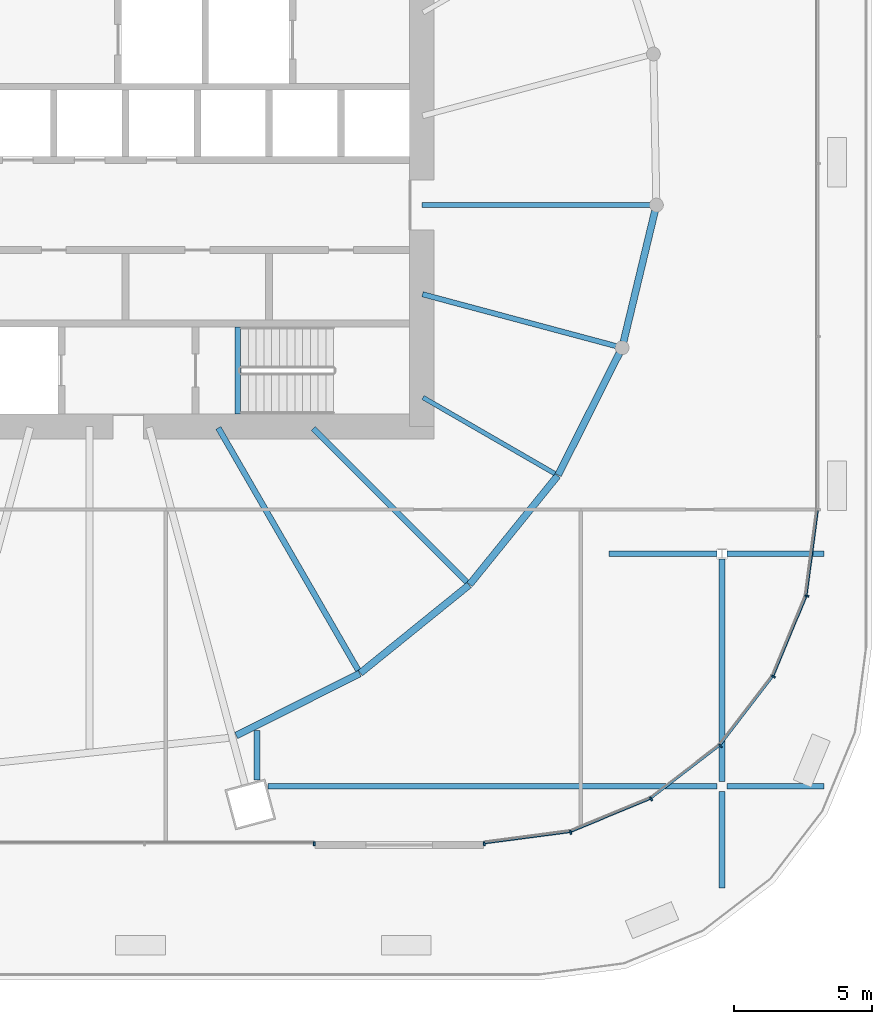
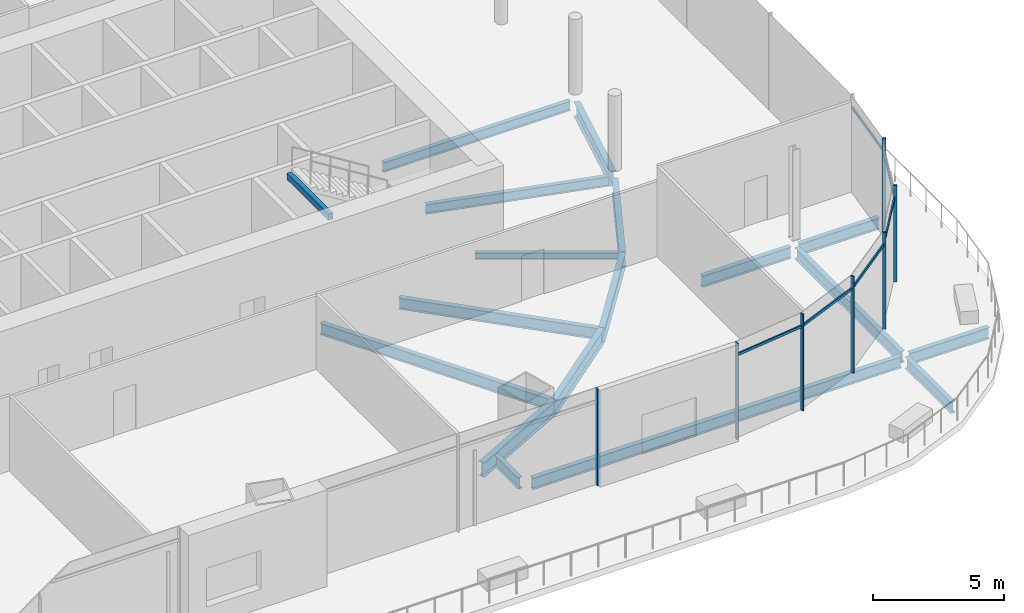
# One storey, part 23 of 49: 18 beams, 13 members, 1 element without a shape of its own.
"""IFC4 building model written with IfcOpenShell, lengths in metres."""

from ifc_helpers import new_model, si_unit, direction, frame, origin, origin_2d, place, context, subcontext, project, spatial, rectangle, hollow_rectangle, i_section, extrude, material, material_profile, profile_set, type_object, element, aggregate, save


model = new_model("IFC4")

# Units and contexts
model_context = context("Model", 3, precision=1e-05, world=origin(), true_north=direction((0.0, 1.0)))
body_context = subcontext(model_context, "Body", "Model", "MODEL_VIEW")
ifc_project = project(units=[si_unit("LENGTHUNIT", "METRE"), si_unit("AREAUNIT", "SQUARE_METRE"), si_unit("VOLUMEUNIT", "CUBIC_METRE"), si_unit("PLANEANGLEUNIT", "RADIAN"), si_unit("MASSUNIT", "GRAM", prefix="KILO")], contexts=[model_context])

# Site, building, storey
site_placement = place(None, origin())
site = spatial("IfcSite", under=ifc_project, at=site_placement, CompositionType="ELEMENT")
building_placement = place(site_placement, origin())
building = spatial("IfcBuilding", under=site, at=building_placement, Name="Rimbun Link Towers", CompositionType="ELEMENT")
storey_placement = place(building_placement, frame((0.0, 0.0, 25.5)))
storey = spatial("IfcBuildingStorey", under=building, at=storey_placement, Name="L05", CompositionType="ELEMENT", Elevation=25.5)

# Curtain wall, members
ifc_material_1 = material(Name="Aluminium 6063-T6 and low-iron glass", Category="aluminium")
curtain_wall_type = type_object("IfcCurtainWallType", Name="CW3 podium shopfront", PredefinedType="NOTDEFINED", material=ifc_material_1)
curtain_wall_placement = place(storey_placement, origin())
curtain_wall = element("IfcCurtainWall", 1, at=curtain_wall_placement, inside=storey, type_object=curtain_wall_type, Name="CW3 L05 PD", PredefinedType="NOTDEFINED")
ifc_material_2 = material(Name="Aluminium 6063-T6", Category="aluminium")
ifc_material_profile_1 = material_profile(ifc_material_2, rectangle(XDim=0.14990234375, YDim=0.06005859375, at=origin_2d()), Name="MULLION 60X150")
ifc_profile_set_1 = profile_set([ifc_material_profile_1], Name="Aluminium 6063-T6")
member_type_1 = type_object("IfcMemberType", Name="CW3 mullion 60X150", PredefinedType="MULLION", material=ifc_profile_set_1)
member_1_placement = place(storey_placement, frame((49.125244140625, -22.66357421875, 0.0), z_axis=(0.0, 0.0, 1.0), x_axis=(0.258818729038, -0.965925910978, 0.0)))
member_1 = element("IfcMember", 2, at=member_1_placement, type_object=member_type_1, Name="CW3 mullion", PredefinedType="MULLION", context=body_context, shape_type="SweptSolid", body=[
    extrude(rectangle(XDim=0.14990234375, YDim=0.06005859375, at=origin_2d()), origin(), (0.0, 0.0, 1.0), 4.5),
])
member_2_placement = place(storey_placement, frame((46.0048828125, -23.074951171875, 0.0), z_axis=(0.0, 0.0, 1.0), x_axis=(0.065405288299, -0.997858781723, 0.0)))
member_2 = element("IfcMember", 3, at=member_2_placement, type_object=member_type_1, Name="CW3 mullion", PredefinedType="MULLION", context=body_context, shape_type="SweptSolid", body=[
    extrude(rectangle(XDim=0.14990234375, YDim=0.06005859375, at=origin_2d()), origin(), (0.0, 0.0, 1.0), 4.5),
])
member_3_placement = place(storey_placement, frame((52.03759765625, -21.457275390625, 0.0), z_axis=(0.0, 0.0, 1.0), x_axis=(0.499993701568, -0.866029040155, 0.0)))
member_3 = element("IfcMember", 4, at=member_3_placement, type_object=member_type_1, Name="CW3 mullion", PredefinedType="MULLION", context=body_context, shape_type="SweptSolid", body=[
    extrude(rectangle(XDim=0.14990234375, YDim=0.06005859375, at=origin_2d()), origin(), (0.0, 0.0, 1.0), 4.5),
])
member_4_placement = place(storey_placement, frame((54.538330078125, -19.538330078125, 0.0), z_axis=(0.0, 0.0, 1.0), x_axis=(0.707106781187, -0.707106781187, 0.0)))
member_4 = element("IfcMember", 5, at=member_4_placement, type_object=member_type_1, Name="CW3 mullion", PredefinedType="MULLION", context=body_context, shape_type="SweptSolid", body=[
    extrude(rectangle(XDim=0.14990234375, YDim=0.06005859375, at=origin_2d()), origin(), (0.0, 0.0, 1.0), 4.5),
])
member_5_placement = place(storey_placement, frame((56.457275390625, -17.03759765625, 0.0), z_axis=(0.0, 0.0, 1.0), x_axis=(0.866029040155, -0.499993701568, 0.0)))
member_5 = element("IfcMember", 6, at=member_5_placement, type_object=member_type_1, Name="CW3 mullion", PredefinedType="MULLION", context=body_context, shape_type="SweptSolid", body=[
    extrude(rectangle(XDim=0.14990234375, YDim=0.06005859375, at=origin_2d()), origin(), (0.0, 0.0, 1.0), 4.5),
])
member_6_placement = place(storey_placement, frame((57.66357421875, -14.125244140625, 0.0), z_axis=(0.0, 0.0, 1.0), x_axis=(0.965925910978, -0.258818729038, 0.0)))
member_6 = element("IfcMember", 7, at=member_6_placement, type_object=member_type_1, Name="CW3 mullion", PredefinedType="MULLION", context=body_context, shape_type="SweptSolid", body=[
    extrude(rectangle(XDim=0.14990234375, YDim=0.06005859375, at=origin_2d()), origin(), (0.0, 0.0, 1.0), 4.5),
])
member_7_placement = place(storey_placement, frame((39.86669921875, -23.074951171875, 0.0), z_axis=(0.0, 0.0, 1.0), x_axis=(0.0, -1.0, 0.0)))
member_7 = element("IfcMember", 8, at=member_7_placement, type_object=member_type_1, Name="CW3 mullion", PredefinedType="MULLION", context=body_context, shape_type="SweptSolid", body=[
    extrude(rectangle(XDim=0.14990234375, YDim=0.06005859375, at=origin_2d()), origin(), (0.0, 0.0, 1.0), 4.5),
])
ifc_material_3 = material(Name="Aluminium 6063-T6", Category="aluminium")
ifc_material_profile_2 = material_profile(ifc_material_3, rectangle(XDim=0.06005859375, YDim=0.1201171875, at=origin_2d()), Name="TRANSOM 60X120")
ifc_profile_set_2 = profile_set([ifc_material_profile_2], Name="Aluminium 6063-T6")
member_type_2 = type_object("IfcMemberType", Name="CW3 transom 60X120", PredefinedType="USERDEFINED", material=ifc_profile_set_2)
member_8_placement = place(storey_placement, frame((49.0830078125, -22.6484375, 3.89990234375), z_axis=(-0.991441037829, -0.130555231638, 0.0), x_axis=(0.130555231638, -0.991441037829, 0.0)))
member_8 = element("IfcMember", 9, at=member_8_placement, type_object=member_type_2, Name="CW3 transom", ObjectType="TRANSOM", PredefinedType="USERDEFINED", context=body_context, shape_type="SweptSolid", body=[
    extrude(rectangle(XDim=0.06005859375, YDim=0.1201171875, at=origin_2d()), origin(), (0.0, 0.0, 1.0), 3.072509765625),
])
member_9_placement = place(storey_placement, frame((51.992919921875, -21.45361328125, 3.89990234375), z_axis=(-0.923881248716, -0.382679289053, 0.0), x_axis=(0.382679289053, -0.923881248716, 0.0)))
member_9 = element("IfcMember", 10, at=member_9_placement, type_object=member_type_2, Name="CW3 transom", ObjectType="TRANSOM", PredefinedType="USERDEFINED", context=body_context, shape_type="SweptSolid", body=[
    extrude(rectangle(XDim=0.06005859375, YDim=0.1201171875, at=origin_2d()), origin(), (0.0, 0.0, 1.0), 3.072509765625),
])
member_10_placement = place(storey_placement, frame((54.494384765625, -19.54638671875, 3.89990234375), z_axis=(-0.793344129687, -0.608773432314, 0.0), x_axis=(0.608773432314, -0.793344129687, 0.0)))
member_10 = element("IfcMember", 11, at=member_10_placement, type_object=member_type_2, Name="CW3 transom", ObjectType="TRANSOM", PredefinedType="USERDEFINED", context=body_context, shape_type="SweptSolid", body=[
    extrude(rectangle(XDim=0.06005859375, YDim=0.1201171875, at=origin_2d()), origin(), (0.0, 0.0, 1.0), 3.07275390625),
])
member_11_placement = place(storey_placement, frame((56.4169921875, -17.056640625, 3.89990234375), z_axis=(-0.608773432314, -0.793344129687, 0.0), x_axis=(0.793344129687, -0.608773432314, 0.0)))
member_11 = element("IfcMember", 12, at=member_11_placement, type_object=member_type_2, Name="CW3 transom", ObjectType="TRANSOM", PredefinedType="USERDEFINED", context=body_context, shape_type="SweptSolid", body=[
    extrude(rectangle(XDim=0.06005859375, YDim=0.1201171875, at=origin_2d()), origin(), (0.0, 0.0, 1.0), 3.07275390625),
])
member_12_placement = place(storey_placement, frame((57.62939453125, -14.154296875, 3.89990234375), z_axis=(-0.382679289053, -0.923881248716, 0.0), x_axis=(0.923881248716, -0.382679289053, 0.0)))
member_12 = element("IfcMember", 13, at=member_12_placement, type_object=member_type_2, Name="CW3 transom", ObjectType="TRANSOM", PredefinedType="USERDEFINED", context=body_context, shape_type="SweptSolid", body=[
    extrude(rectangle(XDim=0.06005859375, YDim=0.1201171875, at=origin_2d()), origin(), (0.0, 0.0, 1.0), 3.072509765625),
])
member_13_placement = place(storey_placement, frame((58.049560546875, -11.036865234375, 3.89990234375), z_axis=(-0.130555231638, -0.991441037829, 0.0), x_axis=(0.991441037829, -0.130555231638, 0.0)))
member_13 = element("IfcMember", 14, at=member_13_placement, type_object=member_type_2, Name="CW3 transom", ObjectType="TRANSOM", PredefinedType="USERDEFINED", context=body_context, shape_type="SweptSolid", body=[
    extrude(rectangle(XDim=0.06005859375, YDim=0.1201171875, at=origin_2d()), origin(), (0.0, 0.0, 1.0), 3.072509765625),
])
aggregate(curtain_wall, [member_1, member_2, member_3, member_4, member_5, member_6, member_7, member_8, member_9, member_10, member_11, member_12, member_13])

# Beams
ifc_material_4 = material(Name="Steel S355J2", Category="steel")
ifc_material_profile_3 = material_profile(ifc_material_4, hollow_rectangle(XDim=0.199951171875, YDim=0.300048828125, WallThickness=0.011962890625, at=origin_2d()), Name="BOX 300x200x12")
ifc_profile_set_3 = profile_set([ifc_material_profile_3], Name="Steel S355J2")
beam_type_1 = type_object("IfcBeamType", Name="Stair trimmer beam BOX 300x200x12", PredefinedType="BEAM", material=ifc_profile_set_3)
beam_1_placement = place(storey_placement, frame((37.10009765625, -7.550048828125, 4.050048828125), z_axis=(0.0, 1.0, 0.0), x_axis=(-1.0, 0.0, 0.0)))
element("IfcBeam", 15, at=beam_1_placement, inside=storey, type_object=beam_type_1, Name="L05 ST4 stair beam 1", PredefinedType="BEAM", context=body_context, shape_type="SweptSolid", body=[
    extrude(hollow_rectangle(XDim=0.199951171875, YDim=0.300048828125, WallThickness=0.011962890625, at=origin_2d()), origin(), (0.0, 0.0, 1.0), 3.150146484375),
])
ifc_material_5 = material(Name="Steel S355J2", Category="steel")
ifc_material_profile_4 = material_profile(ifc_material_5, i_section(OverallWidth=0.1650390625, OverallDepth=0.303466796875, WebThickness=0.006103515625, FlangeThickness=0.01025390625, at=origin_2d()), Name="UB 305x165x40")
ifc_profile_set_4 = profile_set([ifc_material_profile_4], Name="Steel S355J2")
beam_type_2 = type_object("IfcBeamType", Name="UB 305x165x40", PredefinedType="BEAM", material=ifc_profile_set_4)
beam_2_placement = place(storey_placement, frame((43.7919921875, -6.952392578125, -0.45166015625), z_axis=(0.86600383438, -0.500037357444, 0.0), x_axis=(0.500037357444, 0.86600383438, 0.0)))
element("IfcBeam", 16, at=beam_2_placement, inside=storey, type_object=beam_type_2, Name="Radial beam T2 L05 19", PredefinedType="BEAM", context=body_context, shape_type="SweptSolid", body=[
    extrude(i_section(OverallWidth=0.1650390625, OverallDepth=0.303466796875, WebThickness=0.006103515625, FlangeThickness=0.01025390625, at=origin_2d()), origin(), (0.0, 0.0, 1.0), 5.5029296875),
])
ifc_material_6 = material(Name="Steel S355J2", Category="steel")
ifc_material_profile_5 = material_profile(ifc_material_6, i_section(OverallWidth=0.18994140625, OverallDepth=0.453369140625, WebThickness=0.008544921875, FlangeThickness=0.0126953125, at=origin_2d()), Name="UB 457x191x67")
ifc_profile_set_5 = profile_set([ifc_material_profile_5], Name="Steel S355J2")
beam_type_3 = type_object("IfcBeamType", Name="UB 457x191x67", PredefinedType="BEAM", material=ifc_profile_set_5)
beam_3_placement = place(storey_placement, frame((43.775390625, -3.22216796875, -0.526611328125), z_axis=(0.965928471546, -0.258809172667, 0.0), x_axis=(0.258809172667, 0.965928471546, 0.0)))
element("IfcBeam", 17, at=beam_3_placement, inside=storey, type_object=beam_type_3, Name="Radial beam T2 L05 20", PredefinedType="BEAM", context=body_context, shape_type="SweptSolid", body=[
    extrude(i_section(OverallWidth=0.18994140625, OverallDepth=0.453369140625, WebThickness=0.008544921875, FlangeThickness=0.0126953125, at=origin_2d()), origin(), (0.0, 0.0, 1.0), 7.2353515625),
])
beam_4_placement = place(storey_placement, frame((43.7509765625, 0.0, -0.526611328125), z_axis=(1.0, 0.0, 0.0), x_axis=(0.0, 1.0, 0.0)))
element("IfcBeam", 18, at=beam_4_placement, inside=storey, type_object=beam_type_3, Name="Radial beam T2 L05 21", PredefinedType="BEAM", context=body_context, shape_type="SweptSolid", body=[
    extrude(i_section(OverallWidth=0.18994140625, OverallDepth=0.453369140625, WebThickness=0.008544921875, FlangeThickness=0.0126953125, at=origin_2d()), origin(), (0.0, 0.0, 1.0), 8.243408203125),
])
ifc_material_7 = material(Name="Steel S355J2", Category="steel")
ifc_material_profile_6 = material_profile(ifc_material_7, i_section(OverallWidth=0.209228515625, OverallDepth=0.533203125, WebThickness=0.010009765625, FlangeThickness=0.015625, at=origin_2d()), Name="UB 533x210x92")
ifc_profile_set_6 = profile_set([ifc_material_profile_6], Name="Steel S355J2")
beam_type_4 = type_object("IfcBeamType", Name="UB 533x210x92", PredefinedType="BEAM", material=ifc_profile_set_6)
beam_5_placement = place(storey_placement, frame((36.3994140625, -8.05322265625, -0.56640625), z_axis=(0.500024888386, -0.866011033991, 0.0), x_axis=(0.866011033991, 0.500024888386, 0.0)))
element("IfcBeam", 19, at=beam_5_placement, inside=storey, type_object=beam_type_4, Name="Radial beam T2 L05 17", PredefinedType="BEAM", context=body_context, shape_type="SweptSolid", body=[
    extrude(i_section(OverallWidth=0.209228515625, OverallDepth=0.533203125, WebThickness=0.010009765625, FlangeThickness=0.015625, at=origin_2d()), origin(), (0.0, 0.0, 1.0), 10.10888671875),
])
beam_6_placement = place(storey_placement, frame((39.82470703125, -8.07470703125, -0.56640625), z_axis=(0.707106781187, -0.707106781187, 0.0), x_axis=(0.707106781187, 0.707106781187, 0.0)))
element("IfcBeam", 20, at=beam_6_placement, inside=storey, type_object=beam_type_4, Name="Radial beam T2 L05 18", PredefinedType="BEAM", context=body_context, shape_type="SweptSolid", body=[
    extrude(i_section(OverallWidth=0.209228515625, OverallDepth=0.533203125, WebThickness=0.010009765625, FlangeThickness=0.015625, at=origin_2d()), origin(), (0.0, 0.0, 1.0), 7.85546875),
])
beam_7_placement = place(storey_placement, frame((38.1875, -21.0, -0.56640625), z_axis=(1.0, 0.0, 0.0), x_axis=(0.0, 1.0, 0.0)))
element("IfcBeam", 21, at=beam_7_placement, inside=storey, type_object=beam_type_4, Name="Grid beam L05 -21.0", PredefinedType="BEAM", context=body_context, shape_type="SweptSolid", body=[
    extrude(i_section(OverallWidth=0.209228515625, OverallDepth=0.533203125, WebThickness=0.010009765625, FlangeThickness=0.015625, at=origin_2d()), origin(), (0.0, 0.0, 1.0), 16.227294921875),
])
beam_8_placement = place(storey_placement, frame((54.785400390625, -21.0, -0.56640625), z_axis=(1.0, 0.0, 0.0), x_axis=(0.0, 1.0, 0.0)))
element("IfcBeam", 22, at=beam_8_placement, inside=storey, type_object=beam_type_4, Name="Grid beam L05 -21.0", PredefinedType="BEAM", context=body_context, shape_type="SweptSolid", body=[
    extrude(i_section(OverallWidth=0.209228515625, OverallDepth=0.533203125, WebThickness=0.010009765625, FlangeThickness=0.015625, at=origin_2d()), origin(), (0.0, 0.0, 1.0), 3.5),
])
beam_9_placement = place(storey_placement, frame((50.5146484375, -12.60009765625, -0.56640625), z_axis=(1.0, 0.0, 0.0), x_axis=(0.0, 1.0, 0.0)))
element("IfcBeam", 23, at=beam_9_placement, inside=storey, type_object=beam_type_4, Name="Grid beam L05 -12.6", PredefinedType="BEAM", context=body_context, shape_type="SweptSolid", body=[
    extrude(i_section(OverallWidth=0.209228515625, OverallDepth=0.533203125, WebThickness=0.010009765625, FlangeThickness=0.015625, at=origin_2d()), origin(), (0.0, 0.0, 1.0), 3.900146484375),
])
beam_10_placement = place(storey_placement, frame((54.785400390625, -12.60009765625, -0.56640625), z_axis=(1.0, 0.0, 0.0), x_axis=(0.0, 1.0, 0.0)))
element("IfcBeam", 24, at=beam_10_placement, inside=storey, type_object=beam_type_4, Name="Grid beam L05 -12.6", PredefinedType="BEAM", context=body_context, shape_type="SweptSolid", body=[
    extrude(i_section(OverallWidth=0.209228515625, OverallDepth=0.533203125, WebThickness=0.010009765625, FlangeThickness=0.015625, at=origin_2d()), origin(), (0.0, 0.0, 1.0), 3.5),
])
beam_11_placement = place(storey_placement, frame((37.800048828125, -20.781494140625, -0.56640625), z_axis=(0.0, 1.0, 0.0), x_axis=(-1.0, 0.0, 0.0)))
element("IfcBeam", 25, at=beam_11_placement, inside=storey, type_object=beam_type_4, Name="Grid beam L05 +37.8", PredefinedType="BEAM", context=body_context, shape_type="SweptSolid", body=[
    extrude(i_section(OverallWidth=0.209228515625, OverallDepth=0.533203125, WebThickness=0.010009765625, FlangeThickness=0.015625, at=origin_2d()), origin(), (0.0, 0.0, 1.0), 1.7978515625),
])
beam_12_placement = place(storey_placement, frame((54.60009765625, -24.680908203125, -0.56640625), z_axis=(0.0, 1.0, 0.0), x_axis=(-1.0, 0.0, 0.0)))
element("IfcBeam", 26, at=beam_12_placement, inside=storey, type_object=beam_type_4, Name="Grid beam L05 +54.6", PredefinedType="BEAM", context=body_context, shape_type="SweptSolid", body=[
    extrude(i_section(OverallWidth=0.209228515625, OverallDepth=0.533203125, WebThickness=0.010009765625, FlangeThickness=0.015625, at=origin_2d()), origin(), (0.0, 0.0, 1.0), 3.5),
])
beam_13_placement = place(storey_placement, frame((54.60009765625, -20.819091796875, -0.56640625), z_axis=(0.0, 1.0, 0.0), x_axis=(-1.0, 0.0, 0.0)))
element("IfcBeam", 27, at=beam_13_placement, inside=storey, type_object=beam_type_4, Name="Grid beam L05 +54.6", PredefinedType="BEAM", context=body_context, shape_type="SweptSolid", body=[
    extrude(i_section(OverallWidth=0.209228515625, OverallDepth=0.533203125, WebThickness=0.010009765625, FlangeThickness=0.015625, at=origin_2d()), origin(), (0.0, 0.0, 1.0), 8.0380859375),
])
ifc_material_8 = material(Name="Steel S355J2", Category="steel")
ifc_material_profile_7 = material_profile(ifc_material_8, i_section(OverallWidth=0.253662109375, OverallDepth=0.68359375, WebThickness=0.012451171875, FlangeThickness=0.01904296875, at=origin_2d()), Name="UB 686x254x140")
ifc_profile_set_7 = profile_set([ifc_material_profile_7], Name="Steel S355J2")
beam_type_5 = type_object("IfcBeamType", Name="UB 686x254x140", PredefinedType="BEAM", material=ifc_profile_set_7)
beam_14_placement = place(storey_placement, frame((37.044921875, -19.167724609375, -0.641845703125), z_axis=(0.893427268905, 0.44920787524, 0.0), x_axis=(-0.44920787524, 0.893427268905, 0.0)))
element("IfcBeam", 28, at=beam_14_placement, inside=storey, type_object=beam_type_5, Name="Edge beam T2 L05 16", PredefinedType="BEAM", context=body_context, shape_type="SweptSolid", body=[
    extrude(i_section(OverallWidth=0.253662109375, OverallDepth=0.68359375, WebThickness=0.012451171875, FlangeThickness=0.01904296875, at=origin_2d()), origin(), (0.0, 0.0, 1.0), 4.991943359375),
])
for number, where, z_axis, x_axis, name in (
    (29, (41.529296875, -16.909423828125, -0.641845703125), (0.777298851758, 0.629131540345, 0.0), (-0.629131540345, 0.777298851758, 0.0), "Edge beam T2 L05 17"),
    (30, (45.47900390625, -13.708740234375, -0.641845703125), (0.629131540345, 0.777298851758, 0.0), (-0.777298851758, 0.629131540345, 0.0), "Edge beam T2 L05 18"),
):
    element("IfcBeam", number, at=place(storey_placement, frame(where, z_axis=z_axis, x_axis=x_axis)), inside=storey, type_object=beam_type_5, Name=name, PredefinedType="BEAM", context=body_context, shape_type="SweptSolid", body=[
        extrude(i_section(OverallWidth=0.253662109375, OverallDepth=0.68359375, WebThickness=0.012451171875, FlangeThickness=0.01904296875, at=origin_2d()), origin(), (0.0, 0.0, 1.0), 5.05517578125),
    ])
beam_15_placement = place(storey_placement, frame((48.67529296875, -9.7548828125, -0.641845703125), z_axis=(0.449213825597, 0.893424277089, 0.0), x_axis=(-0.893424277089, 0.449213825597, 0.0)))
element("IfcBeam", 31, at=beam_15_placement, inside=storey, type_object=beam_type_5, Name="Edge beam T2 L05 19", PredefinedType="BEAM", context=body_context, shape_type="SweptSolid", body=[
    extrude(i_section(OverallWidth=0.253662109375, OverallDepth=0.68359375, WebThickness=0.012451171875, FlangeThickness=0.01904296875, at=origin_2d()), origin(), (0.0, 0.0, 1.0), 4.92822265625),
])
beam_16_placement = place(storey_placement, frame((51.039794921875, -4.9404296875, -0.641845703125), z_axis=(0.23356672239, 0.972340776781, 0.0), x_axis=(-0.972340776781, 0.23356672239, 0.0)))
element("IfcBeam", 32, at=beam_16_placement, inside=storey, type_object=beam_type_5, Name="Edge beam T2 L05 20", PredefinedType="BEAM", context=body_context, shape_type="SweptSolid", body=[
    extrude(i_section(OverallWidth=0.253662109375, OverallDepth=0.68359375, WebThickness=0.012451171875, FlangeThickness=0.01904296875, at=origin_2d()), origin(), (0.0, 0.0, 1.0), 4.860595703125),
])

save(model, "model.ifc")
